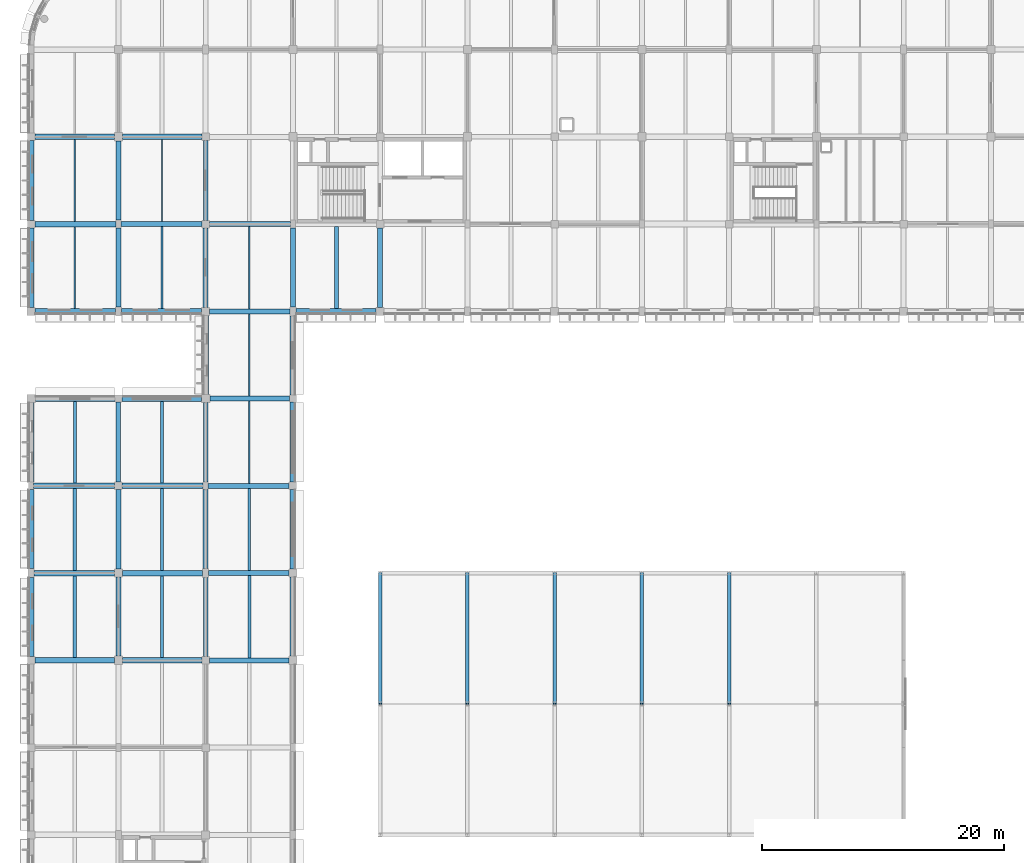
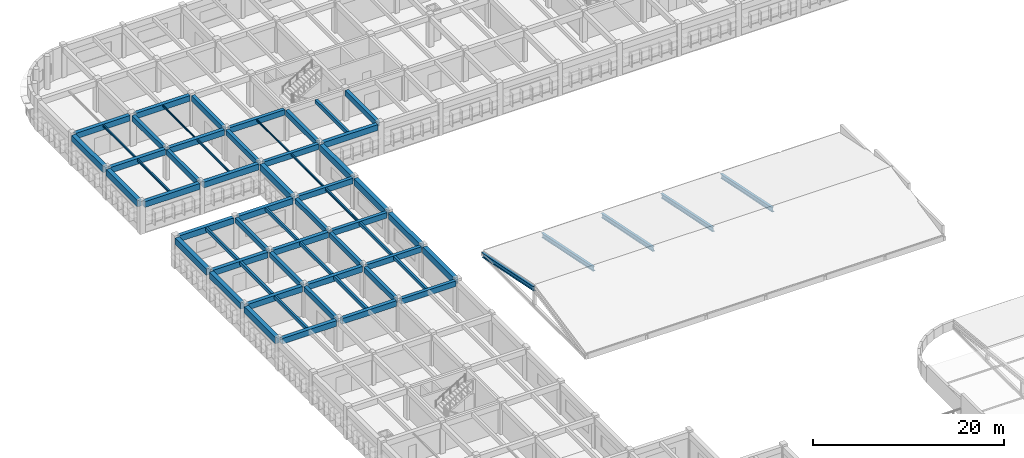
# One storey, part 41 of 103: 59 beams, 5 members.
"""IFC4 building model written with IfcOpenShell, lengths in metres."""

from ifc_helpers import new_model, si_unit, direction, frame, origin, origin_2d, place, context, subcontext, project, spatial, rectangle, i_section, extrude, material, material_profile, profile_set, type_object, element, save


model = new_model("IFC4")

# Units and contexts
model_context = context("Model", 3, precision=1e-05, world=origin(), true_north=direction((0.0, 1.0)))
body_context = subcontext(model_context, "Body", "Model", "MODEL_VIEW")
ifc_project = project(units=[si_unit("LENGTHUNIT", "METRE"), si_unit("AREAUNIT", "SQUARE_METRE"), si_unit("VOLUMEUNIT", "CUBIC_METRE"), si_unit("PLANEANGLEUNIT", "RADIAN"), si_unit("MASSUNIT", "GRAM", prefix="KILO")], contexts=[model_context])

# Site, building, storey
site_placement = place(None, origin())
site = spatial("IfcSite", under=ifc_project, at=site_placement, CompositionType="ELEMENT")
building_placement = place(site_placement, origin())
building = spatial("IfcBuilding", under=site, at=building_placement, Name="Thalmaran Polytechnic", CompositionType="ELEMENT")
storey_placement = place(building_placement, frame((0.0, 0.0, 14.39990234375)))
storey = spatial("IfcBuildingStorey", under=building, at=storey_placement, Name="L03", CompositionType="ELEMENT", Elevation=14.39990234375)

# Beams
ifc_material_1 = material(Name="Concrete C40/50", Category="concrete")
ifc_material_profile_1 = material_profile(ifc_material_1, rectangle(XDim=0.449951171875, YDim=0.72509765625, at=origin_2d()), Name="RC 450x725")
ifc_profile_set_1 = profile_set([ifc_material_profile_1], Name="Concrete C40/50")
beam_type_1 = type_object("IfcBeamType", Name="BM-RC04", PredefinedType="BEAM", material=ifc_profile_set_1)
beam_1_placement = place(storey_placement, frame((0.300048828125, 64.800048828125, 3.57763671875), z_axis=(1.0, 0.0, 0.0), x_axis=(0.0, 1.0, 0.0)))
element("IfcBeam", 1, at=beam_1_placement, inside=storey, type_object=beam_type_1, Name="Grid Beam B04 L03 X(0,9)", PredefinedType="BEAM", context=body_context, shape_type="SweptSolid", body=[
    extrude(rectangle(XDim=0.449951171875, YDim=0.72509765625, at=origin_2d()), origin(), (0.0, 0.0, 1.0), 6.56005859375),
])
beam_2_placement = place(storey_placement, frame((0.25, 72.0, 3.57763671875), z_axis=(1.0, 0.0, 0.0), x_axis=(0.0, 1.0, 0.0)))
element("IfcBeam", 2, at=beam_2_placement, inside=storey, type_object=beam_type_1, Name="Grid Beam B04 L03 X(0,10)", PredefinedType="BEAM", context=body_context, shape_type="SweptSolid", body=[
    extrude(rectangle(XDim=0.449951171875, YDim=0.72509765625, at=origin_2d()), origin(), (0.0, 0.0, 1.0), 6.625),
])
for number, where, z_axis, x_axis, name in (
    (3, (0.2099609375, 79.199951171875, 3.57763671875), (1.0, 0.0, 0.0), (0.0, 1.0, 0.0), "Grid Beam B04 L03 X(0,11)"),
    (4, (0.31005859375, 100.800048828125, 3.57763671875), (1.0, 0.0, 0.0), (0.0, 1.0, 0.0), "Grid Beam B04 L03 X(0,14)"),
):
    element("IfcBeam", number, at=place(storey_placement, frame(where, z_axis=z_axis, x_axis=x_axis)), inside=storey, type_object=beam_type_1, Name=name, PredefinedType="BEAM", context=body_context, shape_type="SweptSolid", body=[
        extrude(rectangle(XDim=0.449951171875, YDim=0.72509765625, at=origin_2d()), origin(), (0.0, 0.0, 1.0), 6.679931640625),
    ])
beam_3_placement = place(storey_placement, frame((0.300048828125, 108.0, 3.57763671875), z_axis=(1.0, 0.0, 0.0), x_axis=(0.0, 1.0, 0.0)))
element("IfcBeam", 5, at=beam_3_placement, inside=storey, type_object=beam_type_1, Name="Grid Beam B04 L03 X(0,15)", PredefinedType="BEAM", context=body_context, shape_type="SweptSolid", body=[
    extrude(rectangle(XDim=0.449951171875, YDim=0.72509765625, at=origin_2d()), origin(), (0.0, 0.0, 1.0), 6.56005859375),
])
ifc_material_profile_2 = material_profile(ifc_material_1, rectangle(XDim=0.39990234375, YDim=0.699951171875, at=origin_2d()), Name="RC 400x700")
ifc_profile_set_2 = profile_set([ifc_material_profile_2], Name="Concrete C40/50")
beam_type_2 = type_object("IfcBeamType", Name="BM-RC05", PredefinedType="BEAM", material=ifc_profile_set_2)
beam_4_placement = place(storey_placement, frame((14.699951171875, 64.800048828125, 3.590087890625), z_axis=(1.0, 0.0, 0.0), x_axis=(0.0, 1.0, 0.0)))
element("IfcBeam", 6, at=beam_4_placement, inside=storey, type_object=beam_type_2, Name="Grid Beam B05 L03 X(2,9)", PredefinedType="BEAM", context=body_context, shape_type="SweptSolid", body=[
    extrude(rectangle(XDim=0.39990234375, YDim=0.699951171875, at=origin_2d()), origin(), (0.0, 0.0, 1.0), 6.56005859375),
])
beam_5_placement = place(storey_placement, frame((14.64990234375, 72.0, 3.590087890625), z_axis=(1.0, 0.0, 0.0), x_axis=(0.0, 1.0, 0.0)))
element("IfcBeam", 7, at=beam_5_placement, inside=storey, type_object=beam_type_2, Name="Grid Beam B05 L03 X(2,10)", PredefinedType="BEAM", context=body_context, shape_type="SweptSolid", body=[
    extrude(rectangle(XDim=0.39990234375, YDim=0.699951171875, at=origin_2d()), origin(), (0.0, 0.0, 1.0), 6.625),
])
beam_6_placement = place(storey_placement, frame((14.610107421875, 79.199951171875, 3.590087890625), z_axis=(1.0, 0.0, 0.0), x_axis=(0.0, 1.0, 0.0)))
element("IfcBeam", 8, at=beam_6_placement, inside=storey, type_object=beam_type_2, Name="Grid Beam B05 L03 X(2,11)", PredefinedType="BEAM", context=body_context, shape_type="SweptSolid", body=[
    extrude(rectangle(XDim=0.39990234375, YDim=0.699951171875, at=origin_2d()), origin(), (0.0, 0.0, 1.0), 6.679931640625),
])
beam_7_placement = place(storey_placement, frame((14.739990234375, 86.39990234375, 3.590087890625), z_axis=(1.0, 0.0, 0.0), x_axis=(0.0, 1.0, 0.0)))
element("IfcBeam", 9, at=beam_7_placement, inside=storey, type_object=beam_type_2, Name="Grid Beam B05 L03 X(2,12)", PredefinedType="BEAM", context=body_context, shape_type="SweptSolid", body=[
    extrude(rectangle(XDim=0.39990234375, YDim=0.699951171875, at=origin_2d()), origin(), (0.0, 0.0, 1.0), 6.56005859375),
])
beam_8_placement = place(storey_placement, frame((14.72509765625, 93.60009765625, 3.590087890625), z_axis=(1.0, 0.0, 0.0), x_axis=(0.0, 1.0, 0.0)))
element("IfcBeam", 10, at=beam_8_placement, inside=storey, type_object=beam_type_2, Name="Grid Beam B05 L03 X(2,13)", PredefinedType="BEAM", context=body_context, shape_type="SweptSolid", body=[
    extrude(rectangle(XDim=0.39990234375, YDim=0.699951171875, at=origin_2d()), origin(), (0.0, 0.0, 1.0), 6.625),
])
beam_9_placement = place(storey_placement, frame((14.7099609375, 100.800048828125, 3.590087890625), z_axis=(1.0, 0.0, 0.0), x_axis=(0.0, 1.0, 0.0)))
element("IfcBeam", 11, at=beam_9_placement, inside=storey, type_object=beam_type_2, Name="Grid Beam B05 L03 X(2,14)", PredefinedType="BEAM", context=body_context, shape_type="SweptSolid", body=[
    extrude(rectangle(XDim=0.39990234375, YDim=0.699951171875, at=origin_2d()), origin(), (0.0, 0.0, 1.0), 6.679931640625),
])
ifc_material_profile_3 = material_profile(ifc_material_1, rectangle(XDim=0.39990234375, YDim=0.6298828125, at=origin_2d()), Name="RC 400x630")
ifc_profile_set_3 = profile_set([ifc_material_profile_3], Name="Concrete C40/50")
beam_type_3 = type_object("IfcBeamType", Name="BM-RC07", PredefinedType="BEAM", material=ifc_profile_set_3)
beam_10_placement = place(storey_placement, frame((7.199951171875, 72.324951171875, 3.625), z_axis=(0.0, 1.0, 0.0), x_axis=(-1.0, 0.0, 0.0)))
element("IfcBeam", 12, at=beam_10_placement, inside=storey, type_object=beam_type_3, Name="Grid Beam B07 L03 Y(1,10)", PredefinedType="BEAM", context=body_context, shape_type="SweptSolid", body=[
    extrude(rectangle(XDim=0.39990234375, YDim=0.6298828125, at=origin_2d()), origin(), (0.0, 0.0, 1.0), 6.56494140625),
])
beam_11_placement = place(storey_placement, frame((14.39990234375, 72.375, 3.625), z_axis=(0.0, 1.0, 0.0), x_axis=(-1.0, 0.0, 0.0)))
element("IfcBeam", 13, at=beam_11_placement, inside=storey, type_object=beam_type_3, Name="Grid Beam B07 L03 Y(2,10)", PredefinedType="BEAM", context=body_context, shape_type="SweptSolid", body=[
    extrude(rectangle(XDim=0.39990234375, YDim=0.6298828125, at=origin_2d()), origin(), (0.0, 0.0, 1.0), 6.5048828125),
])
ifc_material_profile_4 = material_profile(ifc_material_1, rectangle(XDim=0.389892578125, YDim=0.68994140625, at=origin_2d()), Name="RC 390x690")
ifc_profile_set_4 = profile_set([ifc_material_profile_4], Name="Concrete C40/50")
beam_type_4 = type_object("IfcBeamType", Name="BM-RC09", PredefinedType="BEAM", material=ifc_profile_set_4)
beam_12_placement = place(storey_placement, frame((7.199951171875, 101.1201171875, 3.59521484375), z_axis=(0.0, 1.0, 0.0), x_axis=(-1.0, 0.0, 0.0)))
element("IfcBeam", 14, at=beam_12_placement, inside=storey, type_object=beam_type_4, Name="Grid Beam B09 L03 Y(1,14)", PredefinedType="BEAM", context=body_context, shape_type="SweptSolid", body=[
    extrude(rectangle(XDim=0.389892578125, YDim=0.68994140625, at=origin_2d()), origin(), (0.0, 0.0, 1.0), 6.539794921875),
])
beam_13_placement = place(storey_placement, frame((14.39990234375, 101.110107421875, 3.59521484375), z_axis=(0.0, 1.0, 0.0), x_axis=(-1.0, 0.0, 0.0)))
element("IfcBeam", 15, at=beam_13_placement, inside=storey, type_object=beam_type_4, Name="Grid Beam B09 L03 Y(2,14)", PredefinedType="BEAM", context=body_context, shape_type="SweptSolid", body=[
    extrude(rectangle(XDim=0.389892578125, YDim=0.68994140625, at=origin_2d()), origin(), (0.0, 0.0, 1.0), 6.58984375),
])
ifc_material_profile_5 = material_profile(ifc_material_1, rectangle(XDim=0.389892578125, YDim=0.695068359375, at=origin_2d()), Name="RC 390x695")
ifc_profile_set_5 = profile_set([ifc_material_profile_5], Name="Concrete C40/50")
beam_type_5 = type_object("IfcBeamType", Name="BM-RC10", PredefinedType="BEAM", material=ifc_profile_set_5)
beam_14_placement = place(storey_placement, frame((7.199951171875, 65.139892578125, 3.592529296875), z_axis=(0.0, 1.0, 0.0), x_axis=(-1.0, 0.0, 0.0)))
element("IfcBeam", 16, at=beam_14_placement, inside=storey, type_object=beam_type_5, Name="Grid Beam B10 L03 Y(1,9)", PredefinedType="BEAM", context=body_context, shape_type="SweptSolid", body=[
    extrude(rectangle(XDim=0.389892578125, YDim=0.695068359375, at=origin_2d()), origin(), (0.0, 0.0, 1.0), 6.53515625),
])
beam_15_placement = place(storey_placement, frame((14.39990234375, 65.10009765625, 3.592529296875), z_axis=(0.0, 1.0, 0.0), x_axis=(-1.0, 0.0, 0.0)))
element("IfcBeam", 17, at=beam_15_placement, inside=storey, type_object=beam_type_5, Name="Grid Beam B10 L03 Y(2,9)", PredefinedType="BEAM", context=body_context, shape_type="SweptSolid", body=[
    extrude(rectangle(XDim=0.389892578125, YDim=0.695068359375, at=origin_2d()), origin(), (0.0, 0.0, 1.0), 6.52490234375),
])
ifc_material_profile_6 = material_profile(ifc_material_1, rectangle(XDim=0.300048828125, YDim=0.5, at=origin_2d()), Name="RC 300x500")
ifc_profile_set_6 = profile_set([ifc_material_profile_6], Name="Concrete C40/50")
beam_type_6 = type_object("IfcBeamType", Name="BM-RC11", PredefinedType="JOIST", material=ifc_profile_set_6)
beam_16_placement = place(storey_placement, frame((25.199951171875, 93.824951171875, 3.690185546875), z_axis=(0.0, 1.0, 0.0), x_axis=(-1.0, 0.0, 0.0)))
element("IfcBeam", 18, at=beam_16_placement, inside=storey, type_object=beam_type_6, Name="Secondary Floor Rib RB01 L03 (3,13)", PredefinedType="JOIST", context=body_context, shape_type="SweptSolid", body=[
    extrude(rectangle(XDim=0.300048828125, YDim=0.5, at=origin_2d()), origin(), (0.0, 0.0, 1.0), 6.76513671875),
])
ifc_material_profile_7 = material_profile(ifc_material_1, rectangle(XDim=0.280029296875, YDim=0.449951171875, at=origin_2d()), Name="RC 280x450")
ifc_profile_set_7 = profile_set([ifc_material_profile_7], Name="Concrete C40/50")
beam_type_7 = type_object("IfcBeamType", Name="BM-RC13", PredefinedType="JOIST", material=ifc_profile_set_7)
beam_17_placement = place(storey_placement, frame((3.60009765625, 72.22509765625, 3.715087890625), z_axis=(0.0, 1.0, 0.0), x_axis=(-1.0, 0.0, 0.0)))
element("IfcBeam", 19, at=beam_17_placement, inside=storey, type_object=beam_type_7, Name="Secondary Floor Rib RB03 L03 (0,10)", PredefinedType="JOIST", context=body_context, shape_type="SweptSolid", body=[
    extrude(rectangle(XDim=0.280029296875, YDim=0.449951171875, at=origin_2d()), origin(), (0.0, 0.0, 1.0), 6.75),
])
beam_18_placement = place(storey_placement, frame((10.800048828125, 65.02001953125, 3.715087890625), z_axis=(0.0, 1.0, 0.0), x_axis=(-1.0, 0.0, 0.0)))
element("IfcBeam", 20, at=beam_18_placement, inside=storey, type_object=beam_type_7, Name="Secondary Floor Rib RB03 L03 (1,9)", PredefinedType="JOIST", context=body_context, shape_type="SweptSolid", body=[
    extrude(rectangle(XDim=0.280029296875, YDim=0.449951171875, at=origin_2d()), origin(), (0.0, 0.0, 1.0), 6.760009765625),
])
ifc_material_2 = material(Name="Steel S355", Category="steel")
ifc_material_profile_8 = material_profile(ifc_material_2, i_section(OverallWidth=0.159912109375, OverallDepth=0.330078125, WebThickness=0.007568359375, FlangeThickness=0.011474609375, at=origin_2d()), Name="IPE 330")
ifc_profile_set_8 = profile_set([ifc_material_profile_8], Name="Steel S355")
beam_type_8 = type_object("IfcBeamType", Name="BM-SJ02", PredefinedType="JOIST", material=ifc_profile_set_8)
beam_19_placement = place(storey_placement, frame((3.60009765625, 93.824951171875, 3.775146484375), z_axis=(0.0, 1.0, 0.0), x_axis=(-1.0, 0.0, 0.0)))
element("IfcBeam", 21, at=beam_19_placement, inside=storey, type_object=beam_type_8, Name="Secondary Floor Rib SJ02 L03 (0,13)", PredefinedType="JOIST", context=body_context, shape_type="SweptSolid", body=[
    extrude(i_section(OverallWidth=0.159912109375, OverallDepth=0.330078125, WebThickness=0.007568359375, FlangeThickness=0.011474609375, at=origin_2d()), origin(), (0.0, 0.0, 1.0), 6.75),
])
beam_20_placement = place(storey_placement, frame((18.0, 79.39990234375, 3.775146484375), z_axis=(0.0, 1.0, 0.0), x_axis=(-1.0, 0.0, 0.0)))
element("IfcBeam", 22, at=beam_20_placement, inside=storey, type_object=beam_type_8, Name="Secondary Floor Rib SJ02 L03 (2,11)", PredefinedType="JOIST", context=body_context, shape_type="SweptSolid", body=[
    extrude(i_section(OverallWidth=0.159912109375, OverallDepth=0.330078125, WebThickness=0.007568359375, FlangeThickness=0.011474609375, at=origin_2d()), origin(), (0.0, 0.0, 1.0), 6.800048828125),
])
ifc_material_profile_9 = material_profile(ifc_material_2, i_section(OverallWidth=0.135009765625, OverallDepth=0.27001953125, WebThickness=0.006591796875, FlangeThickness=0.01025390625, at=origin_2d()), Name="IPE 270")
ifc_profile_set_9 = profile_set([ifc_material_profile_9], Name="Steel S355")
beam_type_9 = type_object("IfcBeamType", Name="BM-SJ03", PredefinedType="JOIST", material=ifc_profile_set_9)
beam_21_placement = place(storey_placement, frame((3.60009765625, 101.02490234375, 3.80517578125), z_axis=(0.0, 1.0, 0.0), x_axis=(-1.0, 0.0, 0.0)))
element("IfcBeam", 23, at=beam_21_placement, inside=storey, type_object=beam_type_9, Name="Secondary Floor Rib SJ03 L03 (0,14)", PredefinedType="JOIST", context=body_context, shape_type="SweptSolid", body=[
    extrude(i_section(OverallWidth=0.135009765625, OverallDepth=0.27001953125, WebThickness=0.006591796875, FlangeThickness=0.01025390625, at=origin_2d()), origin(), (0.0, 0.0, 1.0), 6.75),
])
beam_22_placement = place(storey_placement, frame((10.800048828125, 93.824951171875, 3.80517578125), z_axis=(0.0, 1.0, 0.0), x_axis=(-1.0, 0.0, 0.0)))
element("IfcBeam", 24, at=beam_22_placement, inside=storey, type_object=beam_type_9, Name="Secondary Floor Rib SJ03 L03 (1,13)", PredefinedType="JOIST", context=body_context, shape_type="SweptSolid", body=[
    extrude(i_section(OverallWidth=0.135009765625, OverallDepth=0.27001953125, WebThickness=0.006591796875, FlangeThickness=0.01025390625, at=origin_2d()), origin(), (0.0, 0.0, 1.0), 6.755126953125),
])
beam_23_placement = place(storey_placement, frame((18.0, 86.60009765625, 3.80517578125), z_axis=(0.0, 1.0, 0.0), x_axis=(-1.0, 0.0, 0.0)))
element("IfcBeam", 25, at=beam_23_placement, inside=storey, type_object=beam_type_9, Name="Secondary Floor Rib SJ03 L03 (2,12)", PredefinedType="JOIST", context=body_context, shape_type="SweptSolid", body=[
    extrude(i_section(OverallWidth=0.135009765625, OverallDepth=0.27001953125, WebThickness=0.006591796875, FlangeThickness=0.01025390625, at=origin_2d()), origin(), (0.0, 0.0, 1.0), 6.7998046875),
])
ifc_material_profile_10 = material_profile(ifc_material_2, i_section(OverallWidth=0.110107421875, OverallDepth=0.219970703125, WebThickness=0.005859375, FlangeThickness=0.00927734375, at=origin_2d()), Name="IPE 220")
ifc_profile_set_10 = profile_set([ifc_material_profile_10], Name="Steel S355")
beam_type_10 = type_object("IfcBeamType", Name="BM-SJ04", PredefinedType="JOIST", material=ifc_profile_set_10)
beam_24_placement = place(storey_placement, frame((10.800048828125, 101.02001953125, 3.830078125), z_axis=(0.0, 1.0, 0.0), x_axis=(-1.0, 0.0, 0.0)))
element("IfcBeam", 26, at=beam_24_placement, inside=storey, type_object=beam_type_10, Name="Secondary Floor Rib SJ04 L03 (1,14)", PredefinedType="JOIST", context=body_context, shape_type="SweptSolid", body=[
    extrude(i_section(OverallWidth=0.110107421875, OverallDepth=0.219970703125, WebThickness=0.005859375, FlangeThickness=0.00927734375, at=origin_2d()), origin(), (0.0, 0.0, 1.0), 6.760009765625),
])
beam_25_placement = place(storey_placement, frame((18.0, 93.800048828125, 3.830078125), z_axis=(0.0, 1.0, 0.0), x_axis=(-1.0, 0.0, 0.0)))
element("IfcBeam", 27, at=beam_25_placement, inside=storey, type_object=beam_type_10, Name="Secondary Floor Rib SJ04 L03 (2,13)", PredefinedType="JOIST", context=body_context, shape_type="SweptSolid", body=[
    extrude(i_section(OverallWidth=0.110107421875, OverallDepth=0.219970703125, WebThickness=0.005859375, FlangeThickness=0.00927734375, at=origin_2d()), origin(), (0.0, 0.0, 1.0), 6.800048828125),
])
ifc_material_profile_11 = material_profile(ifc_material_1, rectangle(XDim=0.449951171875, YDim=0.7548828125, at=origin_2d()), Name="RC 450x755")
ifc_profile_set_11 = profile_set([ifc_material_profile_11], Name="Concrete C40/50")
beam_type_11 = type_object("IfcBeamType", Name="BM-SP02", PredefinedType="SPANDREL", material=ifc_profile_set_11)
beam_26_placement = place(storey_placement, frame((0.340087890625, 86.39990234375, 3.5625), z_axis=(1.0, 0.0, 0.0), x_axis=(0.0, 1.0, 0.0)))
element("IfcBeam", 28, at=beam_26_placement, inside=storey, type_object=beam_type_11, Name="Grid Beam SP02 L03 X(0,12)", PredefinedType="SPANDREL", context=body_context, shape_type="SweptSolid", body=[
    extrude(rectangle(XDim=0.449951171875, YDim=0.7548828125, at=origin_2d()), origin(), (0.0, 0.0, 1.0), 6.559814453125),
])
beam_27_placement = place(storey_placement, frame((0.324951171875, 93.60009765625, 3.5625), z_axis=(1.0, 0.0, 0.0), x_axis=(0.0, 1.0, 0.0)))
element("IfcBeam", 29, at=beam_27_placement, inside=storey, type_object=beam_type_11, Name="Grid Beam SP02 L03 X(0,13)", PredefinedType="SPANDREL", context=body_context, shape_type="SweptSolid", body=[
    extrude(rectangle(XDim=0.449951171875, YDim=0.7548828125, at=origin_2d()), origin(), (0.0, 0.0, 1.0), 6.625),
])
beam_28_placement = place(storey_placement, frame((7.5, 86.39990234375, 3.5625), z_axis=(1.0, 0.0, 0.0), x_axis=(0.0, 1.0, 0.0)))
element("IfcBeam", 30, at=beam_28_placement, inside=storey, type_object=beam_type_11, Name="Grid Beam SP02 L03 X(1,12)", PredefinedType="SPANDREL", context=body_context, shape_type="SweptSolid", body=[
    extrude(rectangle(XDim=0.449951171875, YDim=0.7548828125, at=origin_2d()), origin(), (0.0, 0.0, 1.0), 6.56005859375),
])
for number, where, z_axis, x_axis, name in (
    (31, (7.449951171875, 93.60009765625, 3.5625), (1.0, 0.0, 0.0), (0.0, 1.0, 0.0), "Grid Beam SP02 L03 X(1,13)"),
    (32, (21.85009765625, 93.60009765625, 3.5625), (1.0, 0.0, 0.0), (0.0, 1.0, 0.0), "Grid Beam SP02 L03 X(3,13)"),
):
    element("IfcBeam", number, at=place(storey_placement, frame(where, z_axis=z_axis, x_axis=x_axis)), inside=storey, type_object=beam_type_11, Name=name, PredefinedType="SPANDREL", context=body_context, shape_type="SweptSolid", body=[
        extrude(rectangle(XDim=0.449951171875, YDim=0.7548828125, at=origin_2d()), origin(), (0.0, 0.0, 1.0), 6.625),
    ])
ifc_material_profile_12 = material_profile(ifc_material_1, rectangle(XDim=0.5, YDim=0.804931640625, at=origin_2d()), Name="RC 500x805")
ifc_profile_set_12 = profile_set([ifc_material_profile_12], Name="Concrete C40/50")
beam_type_12 = type_object("IfcBeamType", Name="BM-SP03", PredefinedType="SPANDREL", material=ifc_profile_set_12)
beam_29_placement = place(storey_placement, frame((0.0, 65.10009765625, 3.53759765625), z_axis=(0.0, 1.0, 0.0), x_axis=(-1.0, 0.0, 0.0)))
element("IfcBeam", 33, at=beam_29_placement, inside=storey, type_object=beam_type_12, Name="Grid Beam SP03 L03 Y(0,9)", PredefinedType="SPANDREL", context=body_context, shape_type="SweptSolid", body=[
    extrude(rectangle(XDim=0.5, YDim=0.804931640625, at=origin_2d()), origin(), (0.0, 0.0, 1.0), 6.52490234375),
])
beam_30_placement = place(storey_placement, frame((0.0, 72.375, 3.53759765625), z_axis=(0.0, 1.0, 0.0), x_axis=(-1.0, 0.0, 0.0)))
element("IfcBeam", 34, at=beam_30_placement, inside=storey, type_object=beam_type_12, Name="Grid Beam SP03 L03 Y(0,10)", PredefinedType="SPANDREL", context=body_context, shape_type="SweptSolid", body=[
    extrude(rectangle(XDim=0.5, YDim=0.804931640625, at=origin_2d()), origin(), (0.0, 0.0, 1.0), 6.5048828125),
])
beam_31_placement = place(storey_placement, frame((0.0, 79.52001953125, 3.53759765625), z_axis=(0.0, 1.0, 0.0), x_axis=(-1.0, 0.0, 0.0)))
element("IfcBeam", 35, at=beam_31_placement, inside=storey, type_object=beam_type_12, Name="Grid Beam SP03 L03 Y(0,11)", PredefinedType="SPANDREL", context=body_context, shape_type="SweptSolid", body=[
    extrude(rectangle(XDim=0.5, YDim=0.804931640625, at=origin_2d()), origin(), (0.0, 0.0, 1.0), 6.5400390625),
])
beam_32_placement = place(storey_placement, frame((0.0, 93.925048828125, 3.53759765625), z_axis=(0.0, 1.0, 0.0), x_axis=(-1.0, 0.0, 0.0)))
element("IfcBeam", 36, at=beam_32_placement, inside=storey, type_object=beam_type_12, Name="Grid Beam SP03 L03 Y(0,13)", PredefinedType="SPANDREL", context=body_context, shape_type="SweptSolid", body=[
    extrude(rectangle(XDim=0.5, YDim=0.804931640625, at=origin_2d()), origin(), (0.0, 0.0, 1.0), 6.56494140625),
])
beam_33_placement = place(storey_placement, frame((0.0, 101.110107421875, 3.53759765625), z_axis=(0.0, 1.0, 0.0), x_axis=(-1.0, 0.0, 0.0)))
element("IfcBeam", 37, at=beam_33_placement, inside=storey, type_object=beam_type_12, Name="Grid Beam SP03 L03 Y(0,14)", PredefinedType="SPANDREL", context=body_context, shape_type="SweptSolid", body=[
    extrude(rectangle(XDim=0.5, YDim=0.804931640625, at=origin_2d()), origin(), (0.0, 0.0, 1.0), 6.58984375),
])
beam_34_placement = place(storey_placement, frame((14.39990234375, 86.739990234375, 3.53759765625), z_axis=(0.0, 1.0, 0.0), x_axis=(-1.0, 0.0, 0.0)))
element("IfcBeam", 38, at=beam_34_placement, inside=storey, type_object=beam_type_12, Name="Grid Beam SP03 L03 Y(2,12)", PredefinedType="SPANDREL", context=body_context, shape_type="SweptSolid", body=[
    extrude(rectangle(XDim=0.5, YDim=0.804931640625, at=origin_2d()), origin(), (0.0, 0.0, 1.0), 6.534912109375),
])
beam_35_placement = place(storey_placement, frame((21.60009765625, 65.139892578125, 3.53759765625), z_axis=(0.0, 1.0, 0.0), x_axis=(-1.0, 0.0, 0.0)))
element("IfcBeam", 39, at=beam_35_placement, inside=storey, type_object=beam_type_12, Name="Grid Beam SP03 L03 Y(3,9)", PredefinedType="SPANDREL", context=body_context, shape_type="SweptSolid", body=[
    extrude(rectangle(XDim=0.5, YDim=0.804931640625, at=origin_2d()), origin(), (0.0, 0.0, 1.0), 6.53515625),
])
beam_36_placement = place(storey_placement, frame((21.60009765625, 72.324951171875, 3.53759765625), z_axis=(0.0, 1.0, 0.0), x_axis=(-1.0, 0.0, 0.0)))
element("IfcBeam", 40, at=beam_36_placement, inside=storey, type_object=beam_type_12, Name="Grid Beam SP03 L03 Y(3,10)", PredefinedType="SPANDREL", context=body_context, shape_type="SweptSolid", body=[
    extrude(rectangle(XDim=0.5, YDim=0.804931640625, at=origin_2d()), origin(), (0.0, 0.0, 1.0), 6.56494140625),
])
beam_37_placement = place(storey_placement, frame((21.60009765625, 79.510009765625, 3.53759765625), z_axis=(0.0, 1.0, 0.0), x_axis=(-1.0, 0.0, 0.0)))
element("IfcBeam", 41, at=beam_37_placement, inside=storey, type_object=beam_type_12, Name="Grid Beam SP03 L03 Y(3,11)", PredefinedType="SPANDREL", context=body_context, shape_type="SweptSolid", body=[
    extrude(rectangle(XDim=0.5, YDim=0.804931640625, at=origin_2d()), origin(), (0.0, 0.0, 1.0), 6.590087890625),
])
beam_38_placement = place(storey_placement, frame((21.60009765625, 86.699951171875, 3.53759765625), z_axis=(0.0, 1.0, 0.0), x_axis=(-1.0, 0.0, 0.0)))
element("IfcBeam", 42, at=beam_38_placement, inside=storey, type_object=beam_type_12, Name="Grid Beam SP03 L03 Y(3,12)", PredefinedType="SPANDREL", context=body_context, shape_type="SweptSolid", body=[
    extrude(rectangle(XDim=0.5, YDim=0.804931640625, at=origin_2d()), origin(), (0.0, 0.0, 1.0), 6.525146484375),
])
ifc_material_profile_13 = material_profile(ifc_material_1, rectangle(XDim=0.43994140625, YDim=0.719970703125, at=origin_2d()), Name="RC 440x720")
ifc_profile_set_13 = profile_set([ifc_material_profile_13], Name="Concrete C40/50")
beam_type_13 = type_object("IfcBeamType", Name="BM-ZB03", PredefinedType="BEAM", material=ifc_profile_set_13)
beam_39_placement = place(storey_placement, frame((7.5400390625, 64.800048828125, 3.580078125), z_axis=(1.0, 0.0, 0.0), x_axis=(0.0, 1.0, 0.0)))
element("IfcBeam", 43, at=beam_39_placement, inside=storey, type_object=beam_type_13, Name="Grid Beam ZB03 L03 X(1,9)", PredefinedType="BEAM", context=body_context, shape_type="SweptSolid", body=[
    extrude(rectangle(XDim=0.43994140625, YDim=0.719970703125, at=origin_2d()), origin(), (0.0, 0.0, 1.0), 6.56005859375),
])
beam_40_placement = place(storey_placement, frame((7.52490234375, 72.0, 3.580078125), z_axis=(1.0, 0.0, 0.0), x_axis=(0.0, 1.0, 0.0)))
element("IfcBeam", 44, at=beam_40_placement, inside=storey, type_object=beam_type_13, Name="Grid Beam ZB03 L03 X(1,10)", PredefinedType="BEAM", context=body_context, shape_type="SweptSolid", body=[
    extrude(rectangle(XDim=0.43994140625, YDim=0.719970703125, at=origin_2d()), origin(), (0.0, 0.0, 1.0), 6.625),
])
beam_41_placement = place(storey_placement, frame((7.510009765625, 79.199951171875, 3.580078125), z_axis=(1.0, 0.0, 0.0), x_axis=(0.0, 1.0, 0.0)))
element("IfcBeam", 45, at=beam_41_placement, inside=storey, type_object=beam_type_13, Name="Grid Beam ZB03 L03 X(1,11)", PredefinedType="BEAM", context=body_context, shape_type="SweptSolid", body=[
    extrude(rectangle(XDim=0.43994140625, YDim=0.719970703125, at=origin_2d()), origin(), (0.0, 0.0, 1.0), 6.679931640625),
])
beam_42_placement = place(storey_placement, frame((7.409912109375, 100.800048828125, 3.580078125), z_axis=(1.0, 0.0, 0.0), x_axis=(0.0, 1.0, 0.0)))
element("IfcBeam", 46, at=beam_42_placement, inside=storey, type_object=beam_type_13, Name="Grid Beam ZB03 L03 X(1,14)", PredefinedType="BEAM", context=body_context, shape_type="SweptSolid", body=[
    extrude(rectangle(XDim=0.43994140625, YDim=0.719970703125, at=origin_2d()), origin(), (0.0, 0.0, 1.0), 6.68017578125),
])
beam_43_placement = place(storey_placement, frame((7.5400390625, 108.0, 3.580078125), z_axis=(1.0, 0.0, 0.0), x_axis=(0.0, 1.0, 0.0)))
element("IfcBeam", 47, at=beam_43_placement, inside=storey, type_object=beam_type_13, Name="Grid Beam ZB03 L03 X(1,15)", PredefinedType="BEAM", context=body_context, shape_type="SweptSolid", body=[
    extrude(rectangle(XDim=0.43994140625, YDim=0.719970703125, at=origin_2d()), origin(), (0.0, 0.0, 1.0), 6.56005859375),
])
ifc_material_profile_14 = material_profile(ifc_material_1, rectangle(XDim=0.3798828125, YDim=0.635009765625, at=origin_2d()), Name="RC 380x635")
ifc_profile_set_14 = profile_set([ifc_material_profile_14], Name="Concrete C40/50")
beam_type_14 = type_object("IfcBeamType", Name="BM-ZB06", PredefinedType="BEAM", material=ifc_profile_set_14)
beam_44_placement = place(storey_placement, frame((7.199951171875, 79.510009765625, 3.62255859375), z_axis=(0.0, 1.0, 0.0), x_axis=(-1.0, 0.0, 0.0)))
element("IfcBeam", 48, at=beam_44_placement, inside=storey, type_object=beam_type_14, Name="Grid Beam ZB06 L03 Y(1,11)", PredefinedType="BEAM", context=body_context, shape_type="SweptSolid", body=[
    extrude(rectangle(XDim=0.3798828125, YDim=0.635009765625, at=origin_2d()), origin(), (0.0, 0.0, 1.0), 6.590087890625),
])
beam_45_placement = place(storey_placement, frame((14.39990234375, 79.52001953125, 3.62255859375), z_axis=(0.0, 1.0, 0.0), x_axis=(-1.0, 0.0, 0.0)))
element("IfcBeam", 49, at=beam_45_placement, inside=storey, type_object=beam_type_14, Name="Grid Beam ZB06 L03 Y(2,11)", PredefinedType="BEAM", context=body_context, shape_type="SweptSolid", body=[
    extrude(rectangle(XDim=0.3798828125, YDim=0.635009765625, at=origin_2d()), origin(), (0.0, 0.0, 1.0), 6.5400390625),
])
ifc_material_profile_15 = material_profile(ifc_material_1, rectangle(XDim=0.39990234375, YDim=0.68505859375, at=origin_2d()), Name="RC 400x685")
ifc_profile_set_15 = profile_set([ifc_material_profile_15], Name="Concrete C40/50")
beam_type_15 = type_object("IfcBeamType", Name="BM-ZB07", PredefinedType="BEAM", material=ifc_profile_set_15)
beam_46_placement = place(storey_placement, frame((7.199951171875, 93.97509765625, 3.59765625), z_axis=(0.0, 1.0, 0.0), x_axis=(-1.0, 0.0, 0.0)))
element("IfcBeam", 50, at=beam_46_placement, inside=storey, type_object=beam_type_15, Name="Grid Beam ZB07 L03 Y(1,13)", PredefinedType="BEAM", context=body_context, shape_type="SweptSolid", body=[
    extrude(rectangle(XDim=0.39990234375, YDim=0.68505859375, at=origin_2d()), origin(), (0.0, 0.0, 1.0), 6.5048828125),
])
beam_47_placement = place(storey_placement, frame((14.39990234375, 93.925048828125, 3.59765625), z_axis=(0.0, 1.0, 0.0), x_axis=(-1.0, 0.0, 0.0)))
element("IfcBeam", 51, at=beam_47_placement, inside=storey, type_object=beam_type_15, Name="Grid Beam ZB07 L03 Y(2,13)", PredefinedType="BEAM", context=body_context, shape_type="SweptSolid", body=[
    extrude(rectangle(XDim=0.39990234375, YDim=0.68505859375, at=origin_2d()), origin(), (0.0, 0.0, 1.0), 6.56494140625),
])
beam_48_placement = place(storey_placement, frame((21.60009765625, 93.97509765625, 3.59765625), z_axis=(0.0, 1.0, 0.0), x_axis=(-1.0, 0.0, 0.0)))
element("IfcBeam", 52, at=beam_48_placement, inside=storey, type_object=beam_type_15, Name="Grid Beam ZB07 L03 Y(3,13)", PredefinedType="BEAM", context=body_context, shape_type="SweptSolid", body=[
    extrude(rectangle(XDim=0.39990234375, YDim=0.68505859375, at=origin_2d()), origin(), (0.0, 0.0, 1.0), 6.5048828125),
])
beam_49_placement = place(storey_placement, frame((28.800048828125, 93.925048828125, 3.59765625), z_axis=(0.0, 1.0, 0.0), x_axis=(-1.0, 0.0, 0.0)))
element("IfcBeam", 53, at=beam_49_placement, inside=storey, type_object=beam_type_15, Name="Grid Beam ZB07 L03 Y(4,13)", PredefinedType="BEAM", context=body_context, shape_type="SweptSolid", body=[
    extrude(rectangle(XDim=0.39990234375, YDim=0.68505859375, at=origin_2d()), origin(), (0.0, 0.0, 1.0), 6.56494140625),
])
ifc_material_profile_16 = material_profile(ifc_material_1, rectangle(XDim=0.260009765625, YDim=0.43994140625, at=origin_2d()), Name="RC 260x440")
ifc_profile_set_16 = profile_set([ifc_material_profile_16], Name="Concrete C40/50")
beam_type_16 = type_object("IfcBeamType", Name="BM-ZJ02", PredefinedType="JOIST", material=ifc_profile_set_16)
beam_50_placement = place(storey_placement, frame((3.60009765625, 65.02490234375, 3.72021484375), z_axis=(0.0, 1.0, 0.0), x_axis=(-1.0, 0.0, 0.0)))
element("IfcBeam", 54, at=beam_50_placement, inside=storey, type_object=beam_type_16, Name="Secondary Floor Rib ZJ02 L03 (0,9)", PredefinedType="JOIST", context=body_context, shape_type="SweptSolid", body=[
    extrude(rectangle(XDim=0.260009765625, YDim=0.43994140625, at=origin_2d()), origin(), (0.0, 0.0, 1.0), 6.75),
])
ifc_material_profile_17 = material_profile(ifc_material_1, rectangle(XDim=0.25, YDim=0.419921875, at=origin_2d()), Name="RC 250x420")
ifc_profile_set_17 = profile_set([ifc_material_profile_17], Name="Concrete C40/50")
beam_type_17 = type_object("IfcBeamType", Name="BM-ZJ03", PredefinedType="JOIST", material=ifc_profile_set_17)
beam_51_placement = place(storey_placement, frame((3.60009765625, 79.425048828125, 3.72998046875), z_axis=(0.0, 1.0, 0.0), x_axis=(-1.0, 0.0, 0.0)))
element("IfcBeam", 55, at=beam_51_placement, inside=storey, type_object=beam_type_17, Name="Secondary Floor Rib ZJ03 L03 (0,11)", PredefinedType="JOIST", context=body_context, shape_type="SweptSolid", body=[
    extrude(rectangle(XDim=0.25, YDim=0.419921875, at=origin_2d()), origin(), (0.0, 0.0, 1.0), 6.75),
])
beam_52_placement = place(storey_placement, frame((10.800048828125, 72.219970703125, 3.72998046875), z_axis=(0.0, 1.0, 0.0), x_axis=(-1.0, 0.0, 0.0)))
element("IfcBeam", 56, at=beam_52_placement, inside=storey, type_object=beam_type_17, Name="Secondary Floor Rib ZJ03 L03 (1,10)", PredefinedType="JOIST", context=body_context, shape_type="SweptSolid", body=[
    extrude(rectangle(XDim=0.25, YDim=0.419921875, at=origin_2d()), origin(), (0.0, 0.0, 1.0), 6.760009765625),
])
beam_53_placement = place(storey_placement, frame((18.0, 65.0, 3.72998046875), z_axis=(0.0, 1.0, 0.0), x_axis=(-1.0, 0.0, 0.0)))
element("IfcBeam", 57, at=beam_53_placement, inside=storey, type_object=beam_type_17, Name="Secondary Floor Rib ZJ03 L03 (2,9)", PredefinedType="JOIST", context=body_context, shape_type="SweptSolid", body=[
    extrude(rectangle(XDim=0.25, YDim=0.419921875, at=origin_2d()), origin(), (0.0, 0.0, 1.0), 6.800048828125),
])
ifc_material_profile_18 = material_profile(ifc_material_1, rectangle(XDim=0.239990234375, YDim=0.39990234375, at=origin_2d()), Name="RC 240x400")
ifc_profile_set_18 = profile_set([ifc_material_profile_18], Name="Concrete C40/50")
beam_type_18 = type_object("IfcBeamType", Name="BM-ZJ04", PredefinedType="JOIST", material=ifc_profile_set_18)
beam_54_placement = place(storey_placement, frame((10.800048828125, 79.419921875, 3.739990234375), z_axis=(0.0, 1.0, 0.0), x_axis=(-1.0, 0.0, 0.0)))
element("IfcBeam", 58, at=beam_54_placement, inside=storey, type_object=beam_type_18, Name="Secondary Floor Rib ZJ04 L03 (1,11)", PredefinedType="JOIST", context=body_context, shape_type="SweptSolid", body=[
    extrude(rectangle(XDim=0.239990234375, YDim=0.39990234375, at=origin_2d()), origin(), (0.0, 0.0, 1.0), 6.755126953125),
])
beam_55_placement = place(storey_placement, frame((18.0, 72.199951171875, 3.739990234375), z_axis=(0.0, 1.0, 0.0), x_axis=(-1.0, 0.0, 0.0)))
element("IfcBeam", 59, at=beam_55_placement, inside=storey, type_object=beam_type_18, Name="Secondary Floor Rib ZJ04 L03 (2,10)", PredefinedType="JOIST", context=body_context, shape_type="SweptSolid", body=[
    extrude(rectangle(XDim=0.239990234375, YDim=0.39990234375, at=origin_2d()), origin(), (0.0, 0.0, 1.0), 6.800048828125),
])

# Members
ifc_material_profile_19 = material_profile(ifc_material_2, i_section(OverallWidth=0.300048828125, OverallDepth=0.550048828125, WebThickness=0.014892578125, FlangeThickness=0.029052734375, at=origin_2d()), Name="HEB 550")
ifc_profile_set_19 = profile_set([ifc_material_profile_19], Name="Steel S355")
member_type = type_object("IfcMemberType", Name="MB-RAF1", PredefinedType="RAFTER", material=ifc_profile_set_19)
for number, where, z_axis, x_axis, name in (
    (60, (28.800048828125, 61.199951171875, 2.3974609375), (0.0, 0.979925221211, -0.199365395278), (-1.0, 0.0, 0.0), "Refectory Parasol Rafter G04-N"),
    (61, (36.0, 61.199951171875, 2.3974609375), (0.0, 0.979925221211, -0.199365395278), (-1.0, 0.0, 0.0), "Refectory Parasol Rafter G05-N"),
    (62, (43.199951171875, 61.199951171875, 2.3974609375), (0.0, 0.979925221211, -0.199365395278), (-1.0, 0.0, 0.0), "Refectory Parasol Rafter G06-N"),
    (63, (50.39990234375, 61.199951171875, 2.3974609375), (0.0, 0.979925221211, -0.199365395278), (-1.0, 0.0, 0.0), "Refectory Parasol Rafter G07-N"),
    (64, (57.60009765625, 61.199951171875, 2.3974609375), (0.0, 0.979925221211, -0.199365395278), (-1.0, 0.0, 0.0), "Refectory Parasol Rafter G08-N"),
):
    element("IfcMember", number, at=place(storey_placement, frame(where, z_axis=z_axis, x_axis=x_axis)), inside=storey, type_object=member_type, Name=name, PredefinedType="RAFTER", context=body_context, shape_type="SweptSolid", body=[
        extrude(i_section(OverallWidth=0.300048828125, OverallDepth=0.550048828125, WebThickness=0.014892578125, FlangeThickness=0.029052734375, at=origin_2d()), origin(), (0.0, 0.0, 1.0), 11.021240234375),
    ])

save(model, "model.ifc")
